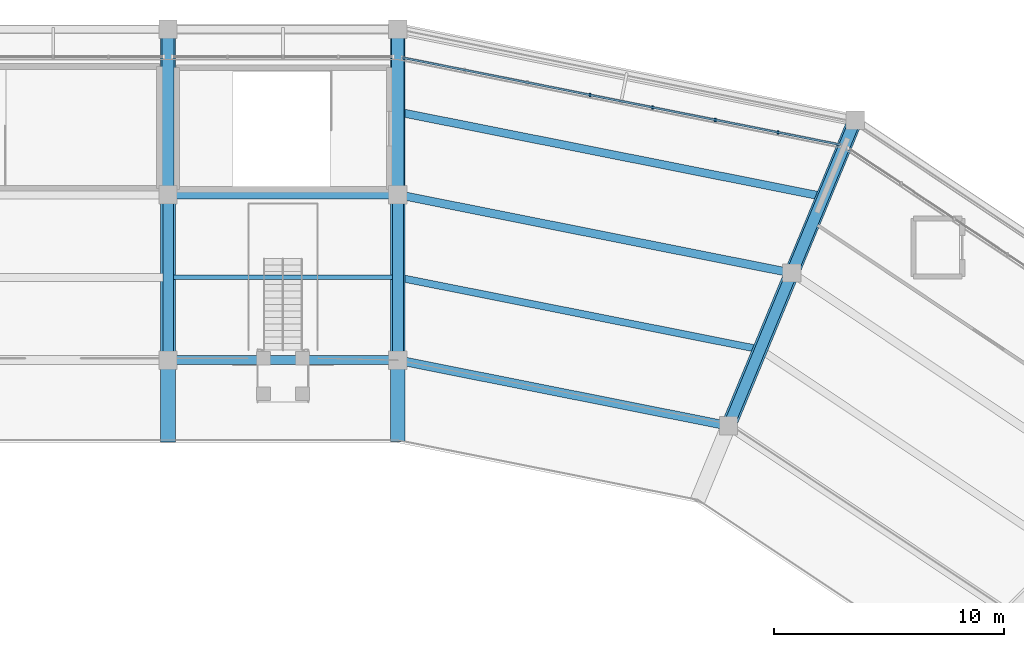
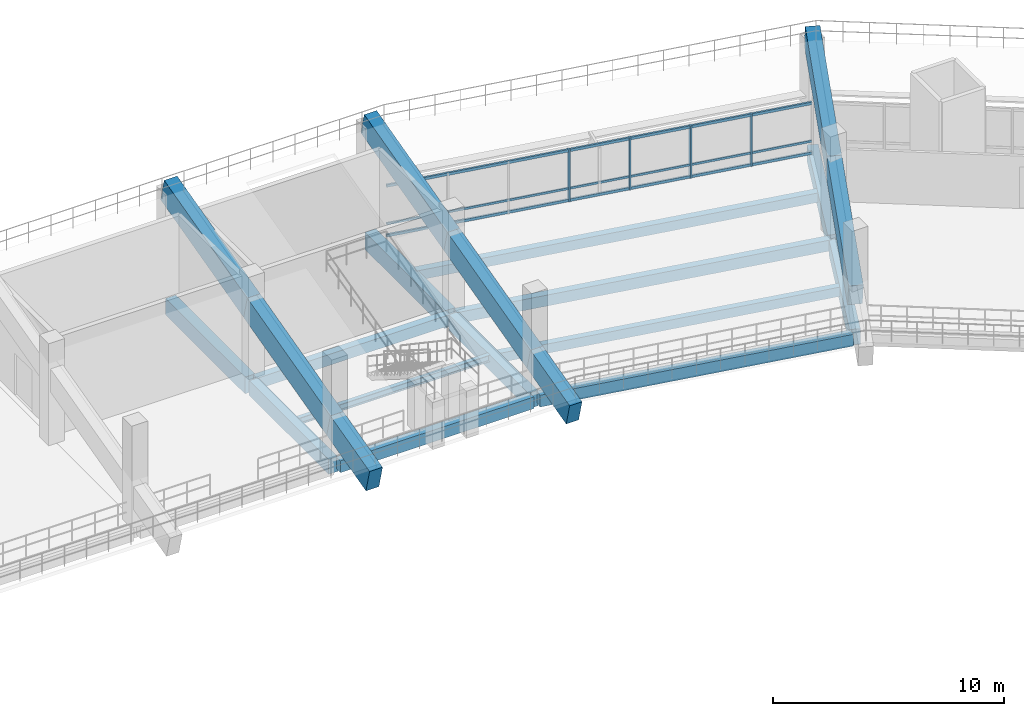
# One storey, part 45 of 96: 21 beams, 7 members, 1 element without a shape of its own.
"""IFC4 building model written with IfcOpenShell, lengths in metres."""

from ifc_helpers import new_model, si_unit, direction, frame, origin, origin_2d, place, context, subcontext, project, spatial, rectangle, i_section, extrude, material, material_profile, profile_set, type_object, element, aggregate, save


model = new_model("IFC4")

# Units and contexts
model_context = context("Model", 3, precision=1e-05, world=origin(), true_north=direction((0.0, 1.0)))
body_context = subcontext(model_context, "Body", "Model", "MODEL_VIEW")
ifc_project = project(units=[si_unit("LENGTHUNIT", "METRE"), si_unit("AREAUNIT", "SQUARE_METRE"), si_unit("VOLUMEUNIT", "CUBIC_METRE"), si_unit("PLANEANGLEUNIT", "RADIAN"), si_unit("MASSUNIT", "GRAM", prefix="KILO")], contexts=[model_context])

# Site, building, storey
site_placement = place(None, origin())
site = spatial("IfcSite", under=ifc_project, at=site_placement, CompositionType="ELEMENT")
building_placement = place(site_placement, origin())
building = spatial("IfcBuilding", under=site, at=building_placement, Name="Candeia Ridge Stadium", CompositionType="ELEMENT")
storey_placement = place(building_placement, frame((0.0, 0.0, 21.60009765625)))
storey = spatial("IfcBuildingStorey", under=building, at=storey_placement, Name="L04", CompositionType="ELEMENT", Elevation=21.60009765625)

# Beam
ifc_material_1 = material(Name="Steel ASTM A572 Grade 50", Category="steel")
ifc_material_profile_1 = material_profile(ifc_material_1, i_section(OverallWidth=0.205078125, OverallDepth=0.35400390625, WebThickness=0.009521484375, FlangeThickness=0.016845703125, FilletRadius=0.014892578125, at=origin_2d()), Name="W360x79", Category="steel")
ifc_profile_set_1 = profile_set([ifc_material_profile_1], Name="Steel ASTM A572 Grade 50")
beam_type_1 = type_object("IfcBeamType", Name="Concourse Secondary Joist W360x79", PredefinedType="JOIST", material=ifc_profile_set_1)
beam_1_placement = place(storey_placement, frame((140.778076171875, 136.199951171875, -0.43701171875), z_axis=(-1.0, 0.0, 0.0), x_axis=(0.0, -1.0, 0.0)))
element("IfcBeam", 1, at=beam_1_placement, inside=storey, type_object=beam_type_1, Name="Concourse secondary joist BM-L04-0796", PredefinedType="JOIST", context=body_context, shape_type="SweptSolid", body=[
    extrude(i_section(OverallWidth=0.205078125, OverallDepth=0.35400390625, WebThickness=0.009521484375, FlangeThickness=0.016845703125, FilletRadius=0.014892578125, at=origin_2d()), origin(), (0.0, 0.0, 1.0), 9.55615234375),
])

# Curtain wall, members
ifc_material_2 = material(Name="Aluminium Anodized Warm Bronze", Category="aluminium")
curtain_wall_type = type_object("IfcCurtainWallType", Name="Concourse Recessed Unitised Curtain Wall", PredefinedType="NOTDEFINED", material=ifc_material_2)
curtain_wall_placement = place(storey_placement, origin())
curtain_wall = element("IfcCurtainWall", 2, at=curtain_wall_placement, inside=storey, type_object=curtain_wall_type, Name="Unitised curtain wall CW-BWL-L04-35", PredefinedType="NOTDEFINED")
ifc_material_profile_2 = material_profile(ifc_material_2, rectangle(XDim=0.074951171875, YDim=0.14990234375, at=origin_2d()), Name="CWM-75x150", Category="aluminium")
ifc_profile_set_2 = profile_set([ifc_material_profile_2], Name="Aluminium Anodized Warm Bronze")
member_type_1 = type_object("IfcMemberType", Name="Curtain Wall Secondary Mullion 75x150", PredefinedType="MULLION", material=ifc_profile_set_2)
member_1_placement = place(storey_placement, frame((157.537109375, 142.510498046875, 0.0), z_axis=(0.0, 0.0, 1.0), x_axis=(1.0, 0.0, 0.0)))
member_1 = element("IfcMember", 3, at=member_1_placement, type_object=member_type_1, Name="Curtain wall mullion CW-BWL-L04-35-M1", PredefinedType="MULLION", context=body_context, shape_type="SweptSolid", body=[
    extrude(rectangle(XDim=0.074951171875, YDim=0.14990234375, at=origin_2d()), origin(), (0.0, 0.0, 1.0), 2.772216796875),
])
member_2_placement = place(storey_placement, frame((154.810302734375, 143.052978515625, 0.0), z_axis=(0.0, 0.0, 1.0), x_axis=(1.0, 0.0, 0.0)))
member_2 = element("IfcMember", 4, at=member_2_placement, type_object=member_type_1, Name="Curtain wall mullion CW-BWL-L04-35-M2", PredefinedType="MULLION", context=body_context, shape_type="SweptSolid", body=[
    extrude(rectangle(XDim=0.074951171875, YDim=0.14990234375, at=origin_2d()), origin(), (0.0, 0.0, 1.0), 2.772216796875),
])
member_3_placement = place(storey_placement, frame((152.08349609375, 143.595458984375, 0.0), z_axis=(0.0, 0.0, 1.0), x_axis=(1.0, 0.0, 0.0)))
member_3 = element("IfcMember", 5, at=member_3_placement, type_object=member_type_1, Name="Curtain wall mullion CW-BWL-L04-35-M3", PredefinedType="MULLION", context=body_context, shape_type="SweptSolid", body=[
    extrude(rectangle(XDim=0.074951171875, YDim=0.14990234375, at=origin_2d()), origin(), (0.0, 0.0, 1.0), 2.772216796875),
])
member_4_placement = place(storey_placement, frame((149.356689453125, 144.1376953125, 0.0), z_axis=(0.0, 0.0, 1.0), x_axis=(1.0, 0.0, 0.0)))
member_4 = element("IfcMember", 6, at=member_4_placement, type_object=member_type_1, Name="Curtain wall mullion CW-BWL-L04-35-M4", PredefinedType="MULLION", context=body_context, shape_type="SweptSolid", body=[
    extrude(rectangle(XDim=0.074951171875, YDim=0.14990234375, at=origin_2d()), origin(), (0.0, 0.0, 1.0), 2.772216796875),
])
ifc_material_profile_3 = material_profile(ifc_material_2, rectangle(XDim=0.074951171875, YDim=0.110107421875, at=origin_2d()), Name="CWT-75x110", Category="aluminium")
ifc_profile_set_3 = profile_set([ifc_material_profile_3], Name="Aluminium Anodized Warm Bronze")
member_type_2 = type_object("IfcMemberType", Name="Curtain Wall Secondary Transom 75x110", PredefinedType="USERDEFINED", material=ifc_profile_set_3)
member_5_placement = place(storey_placement, frame((160.263916015625, 141.96826171875, 0.693115234375), z_axis=(-0.980786160623, 0.195085896803, 0.0), x_axis=(-0.195085896803, -0.980786160623, 0.0)))
member_5 = element("IfcMember", 7, at=member_5_placement, type_object=member_type_2, Name="Curtain wall transom CW-BWL-L04-35-T1", ObjectType="TRANSOM", PredefinedType="USERDEFINED", context=body_context, shape_type="SweptSolid", body=[
    extrude(rectangle(XDim=0.074951171875, YDim=0.110107421875, at=origin_2d()), origin(), (0.0, 0.0, 1.0), 19.46142578125),
])
ifc_material_profile_4 = material_profile(ifc_material_2, rectangle(XDim=0.090087890625, YDim=0.139892578125, at=origin_2d()), Name="CWT-90x140", Category="aluminium")
ifc_profile_set_4 = profile_set([ifc_material_profile_4], Name="Aluminium Anodized Warm Bronze")
member_type_3 = type_object("IfcMemberType", Name="Curtain Wall Transom 90x140", PredefinedType="USERDEFINED", material=ifc_profile_set_4)
member_6_placement = place(storey_placement, frame((160.263916015625, 141.96826171875, 0.06982421875), z_axis=(-0.980786160623, 0.195085896803, 0.0), x_axis=(-0.195085896803, -0.980786160623, 0.0)))
member_6 = element("IfcMember", 8, at=member_6_placement, type_object=member_type_3, Name="Curtain wall transom CW-BWL-L04-35-T0", ObjectType="TRANSOM", PredefinedType="USERDEFINED", context=body_context, shape_type="SweptSolid", body=[
    extrude(rectangle(XDim=0.090087890625, YDim=0.139892578125, at=origin_2d()), origin(), (0.0, 0.0, 1.0), 19.46142578125),
])
member_7_placement = place(storey_placement, frame((160.263916015625, 141.96826171875, 2.7021484375), z_axis=(-0.980786160623, 0.195085896803, 0.0), x_axis=(-0.195085896803, -0.980786160623, 0.0)))
member_7 = element("IfcMember", 9, at=member_7_placement, type_object=member_type_3, Name="Curtain wall transom CW-BWL-L04-35-T2", ObjectType="TRANSOM", PredefinedType="USERDEFINED", context=body_context, shape_type="SweptSolid", body=[
    extrude(rectangle(XDim=0.090087890625, YDim=0.139892578125, at=origin_2d()), origin(), (0.0, 0.0, 1.0), 19.46142578125),
])
aggregate(curtain_wall, [member_1, member_2, member_3, member_4, member_6, member_5, member_7])

# Beams
ifc_material_3 = material(Name="Concrete C40/50", Category="concrete")
ifc_material_profile_5 = material_profile(ifc_material_3, rectangle(XDim=0.31005859375, YDim=0.489990234375, at=origin_2d()), Name="RC310x490", Category="concrete")
ifc_profile_set_5 = profile_set([ifc_material_profile_5], Name="Concrete C40/50")
beam_type_2 = type_object("IfcBeamType", Name="Floor Joist RC310x490", PredefinedType="JOIST", material=ifc_profile_set_5)
beam_2_placement = place(storey_placement, frame((156.548828125, 133.107177734375, -0.505126953125), z_axis=(-0.980784984607, 0.195091809076, 0.0), x_axis=(-0.195091809076, -0.980784984607, 0.0)))
element("IfcBeam", 10, at=beam_2_placement, inside=storey, type_object=beam_type_2, Name="Concourse secondary joist BM-L04-0959", PredefinedType="JOIST", context=body_context, shape_type="SweptSolid", body=[
    extrude(rectangle(XDim=0.31005859375, YDim=0.489990234375, at=origin_2d()), origin(), (0.0, 0.0, 1.0), 15.63134765625),
])
ifc_material_profile_6 = material_profile(ifc_material_3, rectangle(XDim=0.35009765625, YDim=0.5, at=origin_2d()), Name="RC350x500", Category="concrete")
ifc_profile_set_6 = profile_set([ifc_material_profile_6], Name="Concrete C40/50")
beam_type_3 = type_object("IfcBeamType", Name="Floor Joist RC350x500", PredefinedType="JOIST", material=ifc_profile_set_6)
beam_3_placement = place(storey_placement, frame((159.30419921875, 139.759033203125, -0.510009765625), z_axis=(-0.980784839623, 0.195092537954, 0.0), x_axis=(-0.195092537954, -0.980784839623, 0.0)))
element("IfcBeam", 11, at=beam_3_placement, inside=storey, type_object=beam_type_3, Name="Concourse secondary joist BM-L04-0960", PredefinedType="JOIST", context=body_context, shape_type="SweptSolid", body=[
    extrude(rectangle(XDim=0.35009765625, YDim=0.5, at=origin_2d()), origin(), (0.0, 0.0, 1.0), 18.440673828125),
])
ifc_material_profile_7 = material_profile(ifc_material_3, rectangle(XDim=0.360107421875, YDim=0.580078125, at=origin_2d()), Name="RC360x580", Category="concrete")
ifc_profile_set_7 = profile_set([ifc_material_profile_7], Name="Concrete C40/50")
beam_type_4 = type_object("IfcBeamType", Name="Frame Girder RC360x580", PredefinedType="BEAM", material=ifc_profile_set_7)
beam_4_placement = place(storey_placement, frame((140.840087890625, 139.800048828125, -0.550048828125), z_axis=(-1.0, 0.0, 0.0), x_axis=(0.0, -1.0, 0.0)))
element("IfcBeam", 12, at=beam_4_placement, inside=storey, type_object=beam_type_4, Name="Concourse spine girder BM-L04-0794", PredefinedType="BEAM", context=body_context, shape_type="SweptSolid", body=[
    extrude(rectangle(XDim=0.360107421875, YDim=0.580078125, at=origin_2d()), origin(), (0.0, 0.0, 1.0), 9.68017578125),
])
beam_5_placement = place(storey_placement, frame((157.9873046875, 136.4208984375, -0.550048828125), z_axis=(-0.980783706548, 0.195098234154, 0.0), x_axis=(-0.195098234154, -0.980783706548, 0.0)))
element("IfcBeam", 13, at=beam_5_placement, inside=storey, type_object=beam_type_4, Name="Concourse spine girder BM-L04-0957", PredefinedType="BEAM", context=body_context, shape_type="SweptSolid", body=[
    extrude(rectangle(XDim=0.360107421875, YDim=0.580078125, at=origin_2d()), origin(), (0.0, 0.0, 1.0), 17.16015625),
])
ifc_material_profile_8 = material_profile(ifc_material_3, rectangle(XDim=0.3798828125, YDim=0.6201171875, at=origin_2d()), Name="RC380x620", Category="concrete")
ifc_profile_set_8 = profile_set([ifc_material_profile_8], Name="Concrete C40/50")
beam_type_5 = type_object("IfcBeamType", Name="Frame Girder RC380x620", PredefinedType="BEAM", material=ifc_profile_set_8)
beam_6_placement = place(storey_placement, frame((140.840087890625, 132.60009765625, -0.570068359375), z_axis=(-1.0, 0.0, 0.0), x_axis=(0.0, -1.0, 0.0)))
element("IfcBeam", 14, at=beam_6_placement, inside=storey, type_object=beam_type_5, Name="Bowl inner ring girder BM-L04-0793", PredefinedType="BEAM", context=body_context, shape_type="SweptSolid", body=[
    extrude(rectangle(XDim=0.3798828125, YDim=0.6201171875, at=origin_2d()), origin(), (0.0, 0.0, 1.0), 9.68017578125),
])
beam_7_placement = place(storey_placement, frame((155.23193359375, 129.76904296875, -0.570068359375), z_axis=(-0.980783642657, 0.195098555341, 0.0), x_axis=(-0.195098555341, -0.980783642657, 0.0)))
element("IfcBeam", 15, at=beam_7_placement, inside=storey, type_object=beam_type_5, Name="Bowl inner ring girder BM-L04-0956", PredefinedType="BEAM", context=body_context, shape_type="SweptSolid", body=[
    extrude(rectangle(XDim=0.3798828125, YDim=0.6201171875, at=origin_2d()), origin(), (0.0, 0.0, 1.0), 14.350830078125),
])
ifc_material_profile_9 = material_profile(ifc_material_3, rectangle(XDim=0.4599609375, YDim=0.780029296875, at=origin_2d()), Name="RC460x780", Category="concrete")
ifc_profile_set_9 = profile_set([ifc_material_profile_9], Name="Concrete C40/50")
beam_type_6 = type_object("IfcBeamType", Name="Frame Girder RC460x780", PredefinedType="BEAM", material=ifc_profile_set_9)
beam_8_placement = place(storey_placement, frame((131.0, 132.760009765625, -0.650146484375), z_axis=(0.0, 1.0, 0.0), x_axis=(-1.0, 0.0, 0.0)))
element("IfcBeam", 16, at=beam_8_placement, inside=storey, type_object=beam_type_6, Name="Bowl radial girder BM-L04-0723", PredefinedType="BEAM", context=body_context, shape_type="SweptSolid", body=[
    extrude(rectangle(XDim=0.4599609375, YDim=0.780029296875, at=origin_2d()), origin(), (0.0, 0.0, 1.0), 6.8798828125),
])
ifc_material_4 = material(Name="Concrete C45/55", Category="concrete")
ifc_material_profile_10 = material_profile(ifc_material_4, rectangle(XDim=0.47998046875, YDim=0.820068359375, at=origin_2d()), Name="RC480x820", Category="concrete")
ifc_profile_set_10 = profile_set([ifc_material_profile_10], Name="Concrete C45/55")
beam_type_7 = type_object("IfcBeamType", Name="Frame Girder RC480x820", PredefinedType="BEAM", material=ifc_profile_set_10)
for number, where, z_axis, x_axis, name in (
    (17, (141.0, 132.760009765625, -0.670166015625), (0.0, 1.0, 0.0), (-1.0, 0.0, 0.0), "Bowl radial girder BM-L04-0721"),
    (18, (155.4501953125, 129.8857421875, -0.670166015625), (0.382681914982, 0.923880161031, 0.0), (-0.923880161031, 0.382681914982, 0.0), "Bowl radial girder BM-L04-0791"),
):
    element("IfcBeam", number, at=place(storey_placement, frame(where, z_axis=z_axis, x_axis=x_axis)), inside=storey, type_object=beam_type_7, Name=name, PredefinedType="BEAM", context=body_context, shape_type="SweptSolid", body=[
        extrude(rectangle(XDim=0.47998046875, YDim=0.820068359375, at=origin_2d()), origin(), (0.0, 0.0, 1.0), 6.8798828125),
    ])
ifc_material_profile_11 = material_profile(ifc_material_4, rectangle(XDim=0.5, YDim=0.85009765625, at=origin_2d()), Name="RC500x850", Category="concrete")
ifc_profile_set_11 = profile_set([ifc_material_profile_11], Name="Concrete C45/55")
beam_type_8 = type_object("IfcBeamType", Name="Frame Girder RC500x850", PredefinedType="BEAM", material=ifc_profile_set_11)
beam_9_placement = place(storey_placement, frame((158.20556640625, 136.53759765625, -0.68505859375), z_axis=(0.382681914982, 0.923880161031, 0.0), x_axis=(-0.923880161031, 0.382681914982, 0.0)))
element("IfcBeam", 19, at=beam_9_placement, inside=storey, type_object=beam_type_8, Name="Bowl radial girder BM-L04-0792", PredefinedType="BEAM", context=body_context, shape_type="SweptSolid", body=[
    extrude(rectangle(XDim=0.5, YDim=0.85009765625, at=origin_2d()), origin(), (0.0, 0.0, 1.0), 6.8798828125),
])
ifc_material_profile_12 = material_profile(ifc_material_4, rectangle(XDim=0.52001953125, YDim=0.8798828125, at=origin_2d()), Name="RC520x880", Category="concrete")
ifc_profile_set_12 = profile_set([ifc_material_profile_12], Name="Concrete C45/55")
beam_type_9 = type_object("IfcBeamType", Name="Frame Girder RC520x880", PredefinedType="BEAM", material=ifc_profile_set_12)
beam_10_placement = place(storey_placement, frame((131.0, 139.9599609375, -0.7001953125), z_axis=(0.0, 1.0, 0.0), x_axis=(-1.0, 0.0, 0.0)))
element("IfcBeam", 20, at=beam_10_placement, inside=storey, type_object=beam_type_9, Name="Bowl radial girder BM-L04-0724", PredefinedType="BEAM", context=body_context, shape_type="SweptSolid", body=[
    extrude(rectangle(XDim=0.52001953125, YDim=0.8798828125, at=origin_2d()), origin(), (0.0, 0.0, 1.0), 6.880126953125),
])
ifc_material_profile_13 = material_profile(ifc_material_4, rectangle(XDim=0.550048828125, YDim=0.919921875, at=origin_2d()), Name="RC550x920", Category="concrete")
ifc_profile_set_13 = profile_set([ifc_material_profile_13], Name="Concrete C45/55")
beam_type_10 = type_object("IfcBeamType", Name="Frame Girder RC550x920", PredefinedType="BEAM", material=ifc_profile_set_13)
beam_11_placement = place(storey_placement, frame((141.0, 139.9599609375, -0.72021484375), z_axis=(0.0, 1.0, 0.0), x_axis=(-1.0, 0.0, 0.0)))
element("IfcBeam", 21, at=beam_11_placement, inside=storey, type_object=beam_type_10, Name="Bowl radial girder BM-L04-0722", PredefinedType="BEAM", context=body_context, shape_type="SweptSolid", body=[
    extrude(rectangle(XDim=0.550048828125, YDim=0.919921875, at=origin_2d()), origin(), (0.0, 0.0, 1.0), 6.880126953125),
])
ifc_material_profile_14 = material_profile(ifc_material_4, rectangle(XDim=0.6201171875, YDim=1.179931640625, at=origin_2d()), Name="RC620x1180", Category="concrete")
ifc_profile_set_14 = profile_set([ifc_material_profile_14], Name="Concrete C45/55")
beam_type_11 = type_object("IfcBeamType", Name="Stand Raker Beam RC620x1180", PredefinedType="USERDEFINED", material=ifc_profile_set_14)
beam_12_placement = place(storey_placement, frame((141.0, 132.60009765625, 1.66796875), z_axis=(0.0, 0.968083084121, 0.250629491956), x_axis=(-1.0, 0.0, 0.0)))
element("IfcBeam", 22, at=beam_12_placement, inside=storey, type_object=beam_type_11, Name="Stand T3 inner raker beam 01", ObjectType="RAKER", PredefinedType="USERDEFINED", context=body_context, shape_type="SweptSolid", body=[
    extrude(rectangle(XDim=0.6201171875, YDim=1.179931640625, at=origin_2d()), origin(), (0.0, 0.0, 1.0), 7.437255859375),
])
beam_13_placement = place(storey_placement, frame((141.0, 139.800048828125, 3.531982421875), z_axis=(0.0, 0.968067153083, 0.250691019229), x_axis=(-1.0, 0.0, 0.0)))
element("IfcBeam", 23, at=beam_13_placement, inside=storey, type_object=beam_type_11, Name="Stand T3 outer raker beam 01", ObjectType="RAKER", PredefinedType="USERDEFINED", context=body_context, shape_type="SweptSolid", body=[
    extrude(rectangle(XDim=0.6201171875, YDim=1.179931640625, at=origin_2d()), origin(), (0.0, 0.0, 1.0), 7.4375),
])
beam_14_placement = place(storey_placement, frame((141.0, 129.199951171875, 0.78759765625), z_axis=(0.0, 0.968076277783, 0.250655780691), x_axis=(-1.0, 0.0, 0.0)))
element("IfcBeam", 24, at=beam_14_placement, inside=storey, type_object=beam_type_11, Name="Stand T3 cantilever raker beam 01", ObjectType="RAKER", PredefinedType="USERDEFINED", context=body_context, shape_type="SweptSolid", body=[
    extrude(rectangle(XDim=0.6201171875, YDim=1.179931640625, at=origin_2d()), origin(), (0.0, 0.0, 1.0), 3.51220703125),
])
ifc_material_profile_15 = material_profile(ifc_material_4, rectangle(XDim=0.64990234375, YDim=1.25, at=origin_2d()), Name="RC650x1250", Category="concrete")
ifc_profile_set_15 = profile_set([ifc_material_profile_15], Name="Concrete C45/55")
beam_type_12 = type_object("IfcBeamType", Name="Stand Raker Beam RC650x1250", PredefinedType="USERDEFINED", material=ifc_profile_set_15)
beam_15_placement = place(storey_placement, frame((131.0, 132.60009765625, 1.66796875), z_axis=(0.0, 0.968083084121, 0.250629491956), x_axis=(-1.0, 0.0, 0.0)))
element("IfcBeam", 25, at=beam_15_placement, inside=storey, type_object=beam_type_12, Name="Stand T3 inner raker beam 02", ObjectType="RAKER", PredefinedType="USERDEFINED", context=body_context, shape_type="SweptSolid", body=[
    extrude(rectangle(XDim=0.64990234375, YDim=1.25, at=origin_2d()), origin(), (0.0, 0.0, 1.0), 7.437255859375),
])
beam_16_placement = place(storey_placement, frame((131.0, 139.800048828125, 3.531982421875), z_axis=(0.0, 0.968067153083, 0.250691019229), x_axis=(-1.0, 0.0, 0.0)))
element("IfcBeam", 26, at=beam_16_placement, inside=storey, type_object=beam_type_12, Name="Stand T3 outer raker beam 02", ObjectType="RAKER", PredefinedType="USERDEFINED", context=body_context, shape_type="SweptSolid", body=[
    extrude(rectangle(XDim=0.64990234375, YDim=1.25, at=origin_2d()), origin(), (0.0, 0.0, 1.0), 7.4375),
])
beam_17_placement = place(storey_placement, frame((131.0, 129.199951171875, 0.78759765625), z_axis=(0.0, 0.968076277783, 0.250655780691), x_axis=(-1.0, 0.0, 0.0)))
element("IfcBeam", 27, at=beam_17_placement, inside=storey, type_object=beam_type_12, Name="Stand T3 cantilever raker beam 02", ObjectType="RAKER", PredefinedType="USERDEFINED", context=body_context, shape_type="SweptSolid", body=[
    extrude(rectangle(XDim=0.64990234375, YDim=1.25, at=origin_2d()), origin(), (0.0, 0.0, 1.0), 3.51220703125),
])
for number, where, z_axis, x_axis, name in (
    (28, (155.388916015625, 129.73779296875, 1.66796875), (0.370467920593, 0.894394775155, 0.250622237615), (-0.923880454805, 0.382681205745, 0.0), "Stand T3 inner raker beam 36"),
    (29, (158.144287109375, 136.389892578125, 3.531982421875), (0.370472700699, 0.894373489566, 0.250691123094), (-0.923875488976, 0.382693194178, 0.0), "Stand T3 outer raker beam 36"),
):
    element("IfcBeam", number, at=place(storey_placement, frame(where, z_axis=z_axis, x_axis=x_axis)), inside=storey, type_object=beam_type_12, Name=name, ObjectType="RAKER", PredefinedType="USERDEFINED", context=body_context, shape_type="SweptSolid", body=[
        extrude(rectangle(XDim=0.64990234375, YDim=1.25, at=origin_2d()), origin(), (0.0, 0.0, 1.0), 7.4375),
    ])

save(model, "model.ifc")
